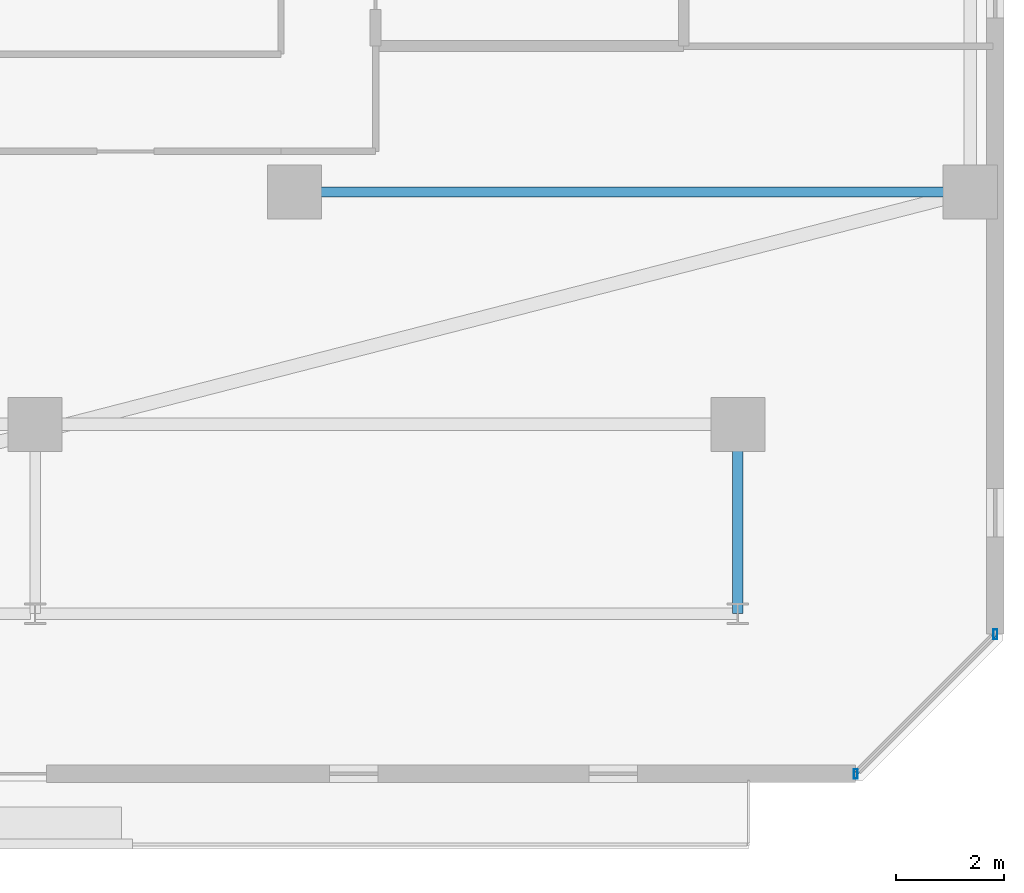
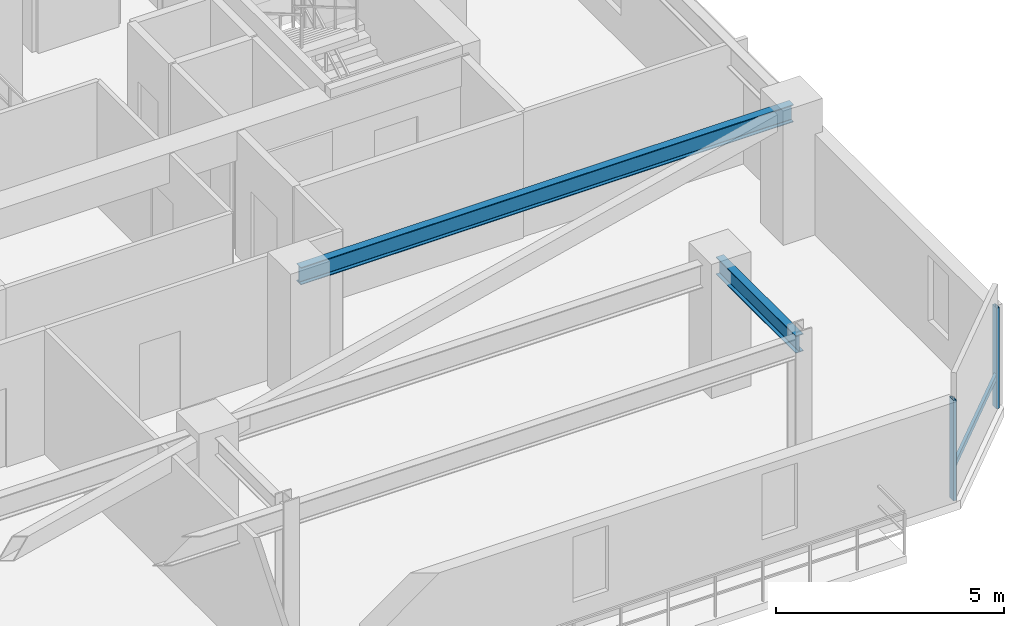
# One storey, part 13 of 33: 3 members, 2 beams, 1 element without a shape of its own.
"""IFC4 building model written with IfcOpenShell, lengths in metres."""

from ifc_helpers import new_model, si_unit, direction, frame, origin, origin_2d, place, context, subcontext, project, spatial, hollow_rectangle, i_section, extrude, material, material_profile, profile_set, type_object, element, aggregate, save


model = new_model("IFC4")

# Units and contexts
model_context = context("Model", 3, precision=1e-05, world=origin(), true_north=direction((0.0, 1.0)))
body_context = subcontext(model_context, "Body", "Model", "MODEL_VIEW")
ifc_project = project(units=[si_unit("LENGTHUNIT", "METRE"), si_unit("AREAUNIT", "SQUARE_METRE"), si_unit("VOLUMEUNIT", "CUBIC_METRE"), si_unit("PLANEANGLEUNIT", "RADIAN"), si_unit("MASSUNIT", "GRAM", prefix="KILO")], contexts=[model_context])

# Site, building, storey
site_placement = place(None, origin())
site = spatial("IfcSite", under=ifc_project, at=site_placement, CompositionType="ELEMENT")
building_placement = place(site_placement, origin())
building = spatial("IfcBuilding", under=site, at=building_placement, Name="Thornwick Lancets Civic Towers", CompositionType="ELEMENT")
storey_placement = place(building_placement, frame((0.0, 0.0, 210.89990234375)))
storey = spatial("IfcBuildingStorey", under=building, at=storey_placement, Name="L56", CompositionType="ELEMENT", Elevation=210.89990234375)

# Beams
ifc_material_1 = material(Name="Steel S355JR", Category="steel")
ifc_material_profile_1 = material_profile(ifc_material_1, i_section(OverallWidth=0.19287109375, OverallDepth=0.46728515625, WebThickness=0.011474609375, FlangeThickness=0.01953125, FilletRadius=0.01025390625, at=origin_2d()), Name="UKB 457x191x98")
ifc_profile_set_1 = profile_set([ifc_material_profile_1], Name="Steel S355JR")
beam_type = type_object("IfcBeamType", Name="BM_JOIST_457_98", PredefinedType="JOIST", material=ifc_profile_set_1)
beam_1_placement = place(storey_placement, frame((93.300048828125, 14.0, 3.12646484375), z_axis=(1.0, 0.0, 0.0), x_axis=(0.0, 1.0, 0.0)))
element("IfcBeam", 1, at=beam_1_placement, inside=storey, type_object=beam_type, Name="BM-RADIN-L56-B01", PredefinedType="JOIST", context=body_context, shape_type="SweptSolid", body=[
    extrude(i_section(OverallWidth=0.19287109375, OverallDepth=0.46728515625, WebThickness=0.011474609375, FlangeThickness=0.01953125, FilletRadius=0.01025390625, at=origin_2d()), origin(), (0.0, 0.0, 1.0), 12.5),
])
beam_2_placement = place(storey_placement, frame((101.5, 9.699951171875, 3.12646484375), z_axis=(0.0, -1.0, 0.0), x_axis=(1.0, 0.0, 0.0)))
element("IfcBeam", 2, at=beam_2_placement, inside=storey, type_object=beam_type, Name="BM-RAD-L56-B10", PredefinedType="JOIST", context=body_context, shape_type="SweptSolid", body=[
    extrude(i_section(OverallWidth=0.19287109375, OverallDepth=0.46728515625, WebThickness=0.011474609375, FlangeThickness=0.01953125, FilletRadius=0.01025390625, at=origin_2d()), origin(), (0.0, 0.0, 1.0), 3.5),
])

# Curtain wall, members
ifc_material_2 = material(Name="High-zone chamfered-corner unitised glass curtain wall", Category="glass")
curtain_wall_type = type_object("IfcCurtainWallType", Name="CW_SYS_05", PredefinedType="NOTDEFINED", material=ifc_material_2)
curtain_wall_placement = place(storey_placement, origin())
curtain_wall = element("IfcCurtainWall", 3, at=curtain_wall_placement, inside=storey, type_object=curtain_wall_type, Name="L56 Curtain Wall CW-L56-B-E1", PredefinedType="NOTDEFINED")
ifc_material_3 = material(Name="Thermally broken bronze aluminium S355", Category="steel")
ifc_material_profile_2 = material_profile(ifc_material_3, hollow_rectangle(XDim=0.074951171875, YDim=0.179931640625, WallThickness=0.006103515625, at=origin_2d()), Name="RHS 180x75x6")
ifc_profile_set_2 = profile_set([ifc_material_profile_2], Name="Thermally broken bronze aluminium S355")
member_type_1 = type_object("IfcMemberType", Name="CW_MUL_180", PredefinedType="MULLION", material=ifc_profile_set_2)
member_1_placement = place(storey_placement, frame((103.681396484375, 3.2353515625, 0.0), z_axis=(0.0, 0.0, 1.0), x_axis=(1.0, 0.0, 0.0)))
member_1 = element("IfcMember", 4, at=member_1_placement, type_object=member_type_1, Name="CW-L56-B-E1 Mullion 0", PredefinedType="MULLION", context=body_context, shape_type="SweptSolid", body=[
    extrude(hollow_rectangle(XDim=0.074951171875, YDim=0.179931640625, WallThickness=0.006103515625, at=origin_2d()), origin(), (0.0, 0.0, 1.0), 2.7001953125),
])
member_2_placement = place(storey_placement, frame((106.2646484375, 5.818603515625, 0.0), z_axis=(0.0, 0.0, 1.0), x_axis=(1.0, 0.0, 0.0)))
member_2 = element("IfcMember", 5, at=member_2_placement, type_object=member_type_1, Name="CW-L56-B-E1 Mullion 1", PredefinedType="MULLION", context=body_context, shape_type="SweptSolid", body=[
    extrude(hollow_rectangle(XDim=0.074951171875, YDim=0.179931640625, WallThickness=0.006103515625, at=origin_2d()), origin(), (0.0, 0.0, 1.0), 2.7001953125),
])
ifc_material_profile_3 = material_profile(ifc_material_3, hollow_rectangle(XDim=0.074951171875, YDim=0.14990234375, WallThickness=0.0048828125, at=origin_2d()), Name="RHS 150x75x5")
ifc_profile_set_3 = profile_set([ifc_material_profile_3], Name="Thermally broken bronze aluminium S355")
member_type_2 = type_object("IfcMemberType", Name="CW_TRN_150", PredefinedType="USERDEFINED", material=ifc_profile_set_3)
member_3_placement = place(storey_placement, frame((103.695556640625, 3.24951171875, 0.85009765625), z_axis=(0.707106781187, 0.707106781187, 0.0), x_axis=(-0.707106781187, 0.707106781187, 0.0)))
member_3 = element("IfcMember", 6, at=member_3_placement, type_object=member_type_2, Name="CW-L56-B-E1 Transom 0", ObjectType="TRANSOM", PredefinedType="USERDEFINED", context=body_context, shape_type="SweptSolid", body=[
    extrude(hollow_rectangle(XDim=0.074951171875, YDim=0.14990234375, WallThickness=0.0048828125, at=origin_2d()), origin(), (0.0, 0.0, 1.0), 3.61328125),
])
aggregate(curtain_wall, [member_1, member_2, member_3])

save(model, "model.ifc")
